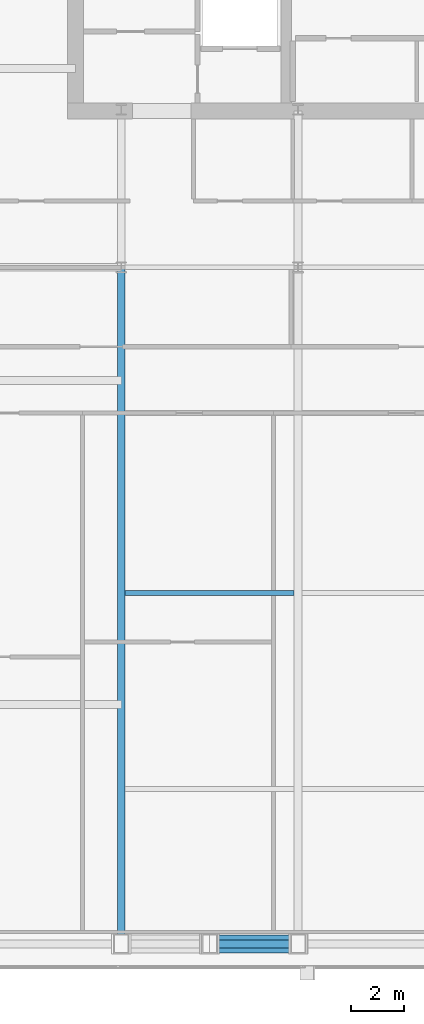
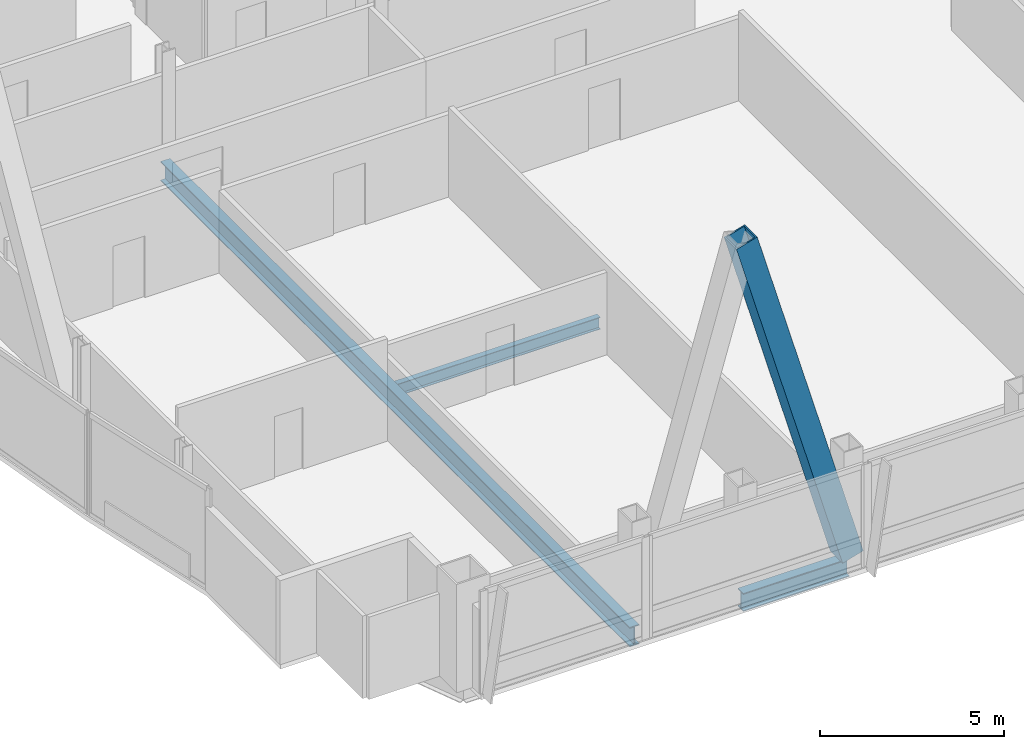
# One storey, part 7 of 31: 3 beams, 1 member.
"""IFC4 building model written with IfcOpenShell, lengths in metres."""

from ifc_helpers import new_model, si_unit, direction, frame, origin, origin_2d, place, context, subcontext, project, spatial, hollow_rectangle, i_section, extrude, material, material_profile, profile_set, type_object, element, save


model = new_model("IFC4")

# Units and contexts
model_context = context("Model", 3, precision=1e-05, world=origin(), true_north=direction((0.0, 1.0)))
body_context = subcontext(model_context, "Body", "Model", "MODEL_VIEW")
ifc_project = project(units=[si_unit("LENGTHUNIT", "METRE"), si_unit("AREAUNIT", "SQUARE_METRE"), si_unit("VOLUMEUNIT", "CUBIC_METRE"), si_unit("PLANEANGLEUNIT", "RADIAN"), si_unit("MASSUNIT", "GRAM", prefix="KILO")], contexts=[model_context])

# Site, building, storey
site_placement = place(None, origin())
site = spatial("IfcSite", under=ifc_project, at=site_placement, CompositionType="ELEMENT")
building_placement = place(site_placement, origin())
building = spatial("IfcBuilding", under=site, at=building_placement, Name="Khoronbel Lancet Exchange", CompositionType="ELEMENT")
storey_placement = place(building_placement, frame((0.0, 0.0, 261.800048828125)))
storey = spatial("IfcBuildingStorey", under=building, at=storey_placement, Name="L67", CompositionType="ELEMENT", Elevation=261.800048828125)

# Beams
ifc_material_1 = material(Name="Steel S355", Category="steel")
ifc_material_profile_1 = material_profile(ifc_material_1, i_section(OverallWidth=0.300048828125, OverallDepth=0.64990234375, WebThickness=0.01611328125, FlangeThickness=0.031005859375, at=origin_2d()), Name="HEB 650")
ifc_profile_set_1 = profile_set([ifc_material_profile_1], Name="Steel S355")
beam_type_1 = type_object("IfcBeamType", Name="BM-BG4", PredefinedType="BEAM", material=ifc_profile_set_1)
beam_1_placement = place(storey_placement, frame((18.22509765625, 10.14990234375, -0.485107421875), z_axis=(0.0, 1.0, 0.0), x_axis=(-1.0, 0.0, 0.0)))
element("IfcBeam", 1, at=beam_1_placement, inside=storey, type_object=beam_type_1, Name="Level L67 south primary girder GS1", PredefinedType="BEAM", context=body_context, shape_type="SweptSolid", body=[
    extrude(i_section(OverallWidth=0.300048828125, OverallDepth=0.64990234375, WebThickness=0.01611328125, FlangeThickness=0.031005859375, at=origin_2d()), origin(), (0.0, 0.0, 1.0), 25.550048828125),
])
ifc_material_profile_2 = material_profile(ifc_material_1, i_section(OverallWidth=0.179931640625, OverallDepth=0.39990234375, WebThickness=0.008544921875, FlangeThickness=0.013427734375, at=origin_2d()), Name="IPE 400")
ifc_profile_set_2 = profile_set([ifc_material_profile_2], Name="Steel S355")
beam_type_2 = type_object("IfcBeamType", Name="BM-BJ5", PredefinedType="JOIST", material=ifc_profile_set_2)
beam_2_placement = place(storey_placement, frame((18.375, 23.39990234375, -0.360107421875), z_axis=(1.0, 0.0, 0.0), x_axis=(0.0, 1.0, 0.0)))
element("IfcBeam", 2, at=beam_2_placement, inside=storey, type_object=beam_type_2, Name="Level L67 secondary composite joist J06", PredefinedType="JOIST", context=body_context, shape_type="SweptSolid", body=[
    extrude(i_section(OverallWidth=0.179931640625, OverallDepth=0.39990234375, WebThickness=0.008544921875, FlangeThickness=0.013427734375, at=origin_2d()), origin(), (0.0, 0.0, 1.0), 6.375),
])
ifc_material_profile_3 = material_profile(ifc_material_1, i_section(OverallWidth=0.300048828125, OverallDepth=0.60009765625, WebThickness=0.015380859375, FlangeThickness=0.030029296875, at=origin_2d()), Name="HEB 600")
ifc_profile_set_3 = profile_set([ifc_material_profile_3], Name="Steel S355")
beam_type_3 = type_object("IfcBeamType", Name="BM-BSP2", PredefinedType="SPANDREL", material=ifc_profile_set_3)
beam_3_placement = place(storey_placement, frame((21.5625, 10.14990234375, -0.4599609375), z_axis=(1.0, 0.0, 0.0), x_axis=(0.0, 1.0, 0.0)))
element("IfcBeam", 3, at=beam_3_placement, inside=storey, type_object=beam_type_3, Name="Level L67 perimeter spandrel beam SP03", PredefinedType="SPANDREL", context=body_context, shape_type="SweptSolid", body=[
    extrude(i_section(OverallWidth=0.300048828125, OverallDepth=0.60009765625, WebThickness=0.015380859375, FlangeThickness=0.030029296875, at=origin_2d()), origin(), (0.0, 0.0, 1.0), 3.33740234375),
])

# Member
ifc_material_2 = material(Name="Steel S460", Category="steel")
ifc_material_profile_4 = material_profile(ifc_material_2, hollow_rectangle(XDim=0.679931640625, YDim=0.679931640625, WallThickness=0.044921875, at=origin_2d()), Name="BOX 680x680x45")
ifc_profile_set_4 = profile_set([ifc_material_profile_4], Name="Steel S460")
member_type = type_object("IfcMemberType", Name="MEM-MB3", PredefinedType="BRACE", material=ifc_profile_set_4)
member_placement = place(storey_placement, frame((24.89990234375, 10.14990234375, 0.0), z_axis=(-0.276494474889, 0.0, 0.961015507344), x_axis=(0.0, -1.0, 0.0)))
element("IfcMember", 4, at=member_placement, inside=storey, type_object=member_type, Name="Perimeter lancet brace tier 23 S-W-R", PredefinedType="BRACE", context=body_context, shape_type="SweptSolid", body=[
    extrude(hollow_rectangle(XDim=0.679931640625, YDim=0.679931640625, WallThickness=0.044921875, at=origin_2d()), origin(), (0.0, 0.0, 1.0), 12.0703125),
])

save(model, "model.ifc")
